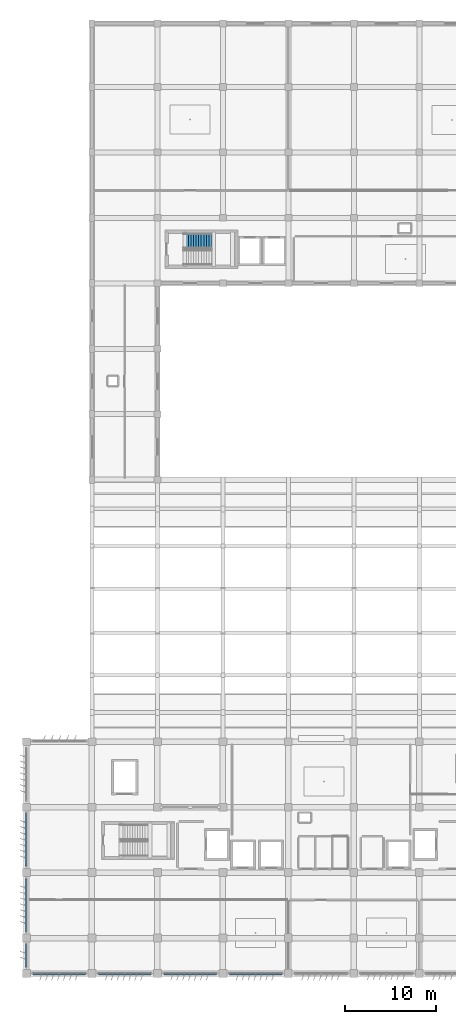
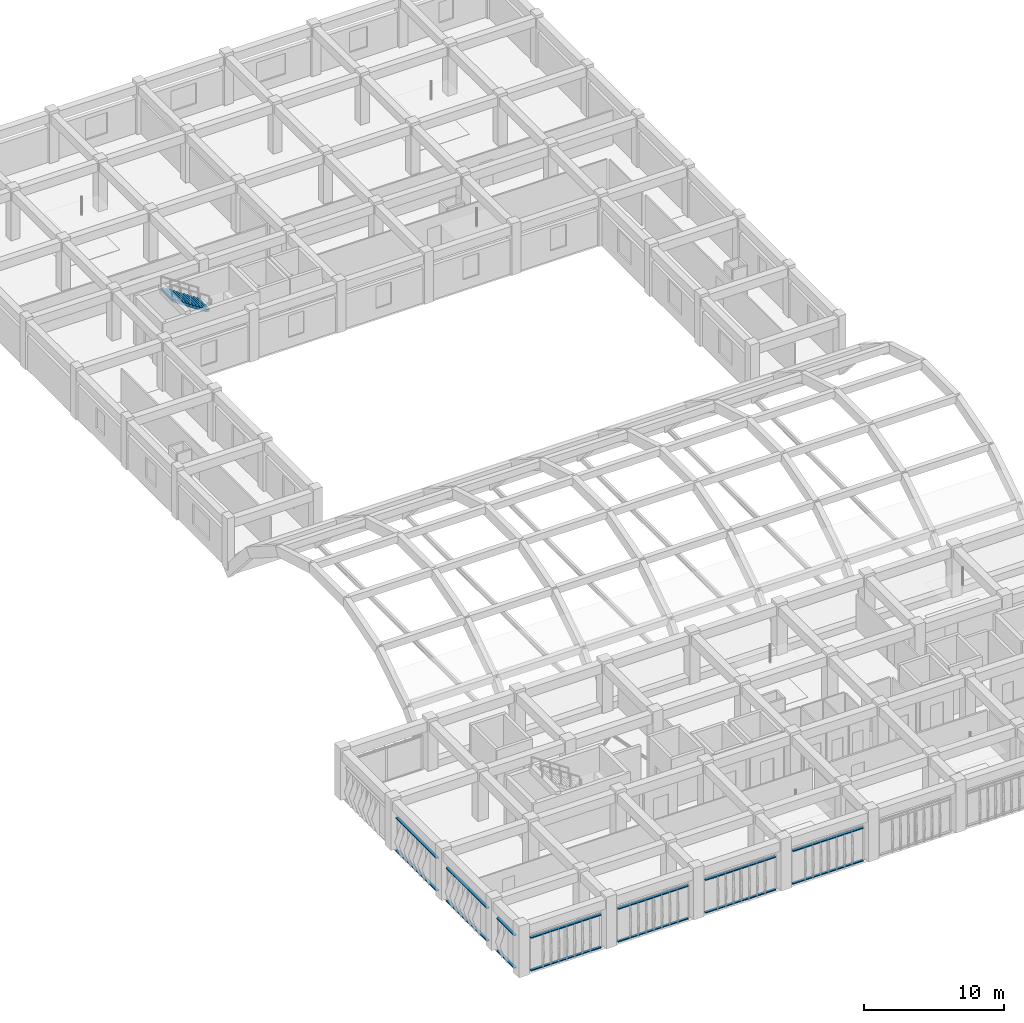
# One storey, part 32 of 48: 14 discrete accessories, 1 stair flight, 1 element without a shape of its own.
"""IFC4 building model written with IfcOpenShell, lengths in metres."""

from ifc_helpers import new_model, si_unit, direction, frame, origin, origin_2d, place, context, subcontext, project, spatial, polyline, rectangle, outline, extrude, material, type_object, element, aggregate, save


model = new_model("IFC4")

# Units and contexts
model_context = context("Model", 3, precision=1e-05, world=origin(), true_north=direction((0.0, 1.0)))
body_context = subcontext(model_context, "Body", "Model", "MODEL_VIEW")
ifc_project = project(units=[si_unit("LENGTHUNIT", "METRE"), si_unit("AREAUNIT", "SQUARE_METRE"), si_unit("VOLUMEUNIT", "CUBIC_METRE"), si_unit("PLANEANGLEUNIT", "RADIAN"), si_unit("MASSUNIT", "GRAM", prefix="KILO")], contexts=[model_context])

# Site, building, storey
site_placement = place(None, origin())
site = spatial("IfcSite", under=ifc_project, at=site_placement, CompositionType="ELEMENT")
building_placement = place(site_placement, origin())
building = spatial("IfcBuilding", under=site, at=building_placement, Name="Kazehaya Institute of Natural Sciences", CompositionType="ELEMENT")
storey_placement = place(building_placement, frame((0.0, 0.0, 19.800048828125)))
storey = spatial("IfcBuildingStorey", under=building, at=storey_placement, Name="L04", CompositionType="ELEMENT", Elevation=19.800048828125)

# Stair, stair flight
ifc_material_1 = material(Name="Concrete Fc36", Category="concrete")
stair_type = type_object("IfcStairType", Name="STR-DOG-4500", PredefinedType="HALF_TURN_STAIR", material=ifc_material_1)
stair_placement = place(storey_placement, origin())
stair = element("IfcStair", 1, at=stair_placement, inside=storey, type_object=stair_type, Name="L04 Protected Escape Stair ST-3", PredefinedType="HALF_TURN_STAIR")
stair_flight_type = type_object("IfcStairFlightType", Name="STF-DOG-4500", PredefinedType="STRAIGHT", material=ifc_material_1)
stair_flight_placement = place(storey_placement, frame((74.93994140625, 90.64990234375, 2.25), z_axis=(0.0, 0.0, 1.0), x_axis=(-1.0, 0.0, 0.0)))
stair_flight = element("IfcStairFlight", 2, at=stair_flight_placement, type_object=stair_flight_type, Name="ST-3 flight 2", NumberOfRisers=12, NumberOfTreads=11, PredefinedType="STRAIGHT", RiserHeight=0.1875, TreadLength=0.28, context=body_context, shape_type="SweptSolid", body=[
    extrude(outline(polyline([(0.0, 0.0), (0.0, 0.1875), (0.280029296875, 0.1875), (0.280029296875, 0.375), (0.56005859375, 0.375), (0.56005859375, 0.5625), (0.840087890625, 0.5625), (0.840087890625, 0.75), (1.1201171875, 0.75), (1.1201171875, 0.9375), (1.39990234375, 0.9375), (1.39990234375, 1.125), (1.679931640625, 1.125), (1.679931640625, 1.3125), (1.9599609375, 1.3125), (1.9599609375, 1.5), (2.239990234375, 1.5), (2.239990234375, 1.6875), (2.52001953125, 1.6875), (2.52001953125, 1.875), (2.800048828125, 1.875), (2.800048828125, 2.0625), (3.080078125, 2.0625), (3.080078125, 2.25), (3.080078125, 1.882080078125), (0.26953125, 0.0), (0.0, 0.0)])), frame((0.0, 0.830078125, 0.0), z_axis=(0.0, -1.0, 0.0), x_axis=(1.0, 0.0, 0.0)), (0.0, 0.0, 1.0), 1.659912109375),
])
aggregate(stair, [stair_flight])

# Discrete accessories
ifc_material_2 = material(Name="Aluminium alloy A6063S-T5", Category="aluminium")
discrete_accessory_type = type_object("IfcDiscreteAccessoryType", Name="ACC-BRK-01", PredefinedType="BRACKET", material=ifc_material_2)
for number, where, z_axis, x_axis, name in (
    (3, (79.800048828125, 10.02490234375, 0.039794921875), (0.0, 0.0, 1.0), (-1.0, 0.0, 0.0), "L04 fin support outrigger rail 1"),
    (4, (79.800048828125, 10.02490234375, 2.8798828125), (0.0, 0.0, 1.0), (-1.0, 0.0, 0.0), "L04 fin support outrigger rail 2"),
    (5, (72.60009765625, 10.02490234375, 0.039794921875), (0.0, 0.0, 1.0), (-1.0, 0.0, 0.0), "L04 fin support outrigger rail 1"),
    (6, (72.60009765625, 10.02490234375, 2.8798828125), (0.0, 0.0, 1.0), (-1.0, 0.0, 0.0), "L04 fin support outrigger rail 2"),
    (7, (65.39990234375, 10.02490234375, 0.039794921875), (0.0, 0.0, 1.0), (-1.0, 0.0, 0.0), "L04 fin support outrigger rail 1"),
    (8, (65.39990234375, 10.02490234375, 2.8798828125), (0.0, 0.0, 1.0), (-1.0, 0.0, 0.0), "L04 fin support outrigger rail 2"),
    (9, (58.199951171875, 10.02490234375, 0.039794921875), (0.0, 0.0, 1.0), (-1.0, 0.0, 0.0), "L04 fin support outrigger rail 1"),
    (10, (58.199951171875, 10.02490234375, 2.8798828125), (0.0, 0.0, 1.0), (-1.0, 0.0, 0.0), "L04 fin support outrigger rail 2"),
):
    element("IfcDiscreteAccessory", number, at=place(storey_placement, frame(where, z_axis=z_axis, x_axis=x_axis)), inside=storey, type_object=discrete_accessory_type, Name=name, PredefinedType="BRACKET", context=body_context, shape_type="SweptSolid", body=[
        extrude(rectangle(XDim=5.800048828125, YDim=0.219970703125, at=origin_2d()), origin(), (0.0, 0.0, 1.0), 0.080078125),
    ])
for number, where, z_axis, x_axis, name in (
    (11, (54.52490234375, 12.050048828125, 0.039794921875), (0.0, 0.0, 1.0), (0.0, 1.0, 0.0), "L04 fin support outrigger rail 1"),
    (12, (54.52490234375, 12.050048828125, 2.8798828125), (0.0, 0.0, 1.0), (0.0, 1.0, 0.0), "L04 fin support outrigger rail 2"),
):
    element("IfcDiscreteAccessory", number, at=place(storey_placement, frame(where, z_axis=z_axis, x_axis=x_axis)), inside=storey, type_object=discrete_accessory_type, Name=name, PredefinedType="BRACKET", context=body_context, shape_type="SweptSolid", body=[
        extrude(rectangle(XDim=2.5, YDim=0.219970703125, at=origin_2d()), origin(), (0.0, 0.0, 1.0), 0.080078125),
    ])
for number, where, z_axis, x_axis, name in (
    (13, (54.52490234375, 17.60009765625, 0.039794921875), (0.0, 0.0, 1.0), (0.0, 1.0, 0.0), "L04 fin support outrigger rail 1"),
    (14, (54.52490234375, 17.60009765625, 2.8798828125), (0.0, 0.0, 1.0), (0.0, 1.0, 0.0), "L04 fin support outrigger rail 2"),
    (15, (54.52490234375, 24.800048828125, 0.039794921875), (0.0, 0.0, 1.0), (0.0, 1.0, 0.0), "L04 fin support outrigger rail 1"),
    (16, (54.52490234375, 24.800048828125, 2.8798828125), (0.0, 0.0, 1.0), (0.0, 1.0, 0.0), "L04 fin support outrigger rail 2"),
):
    element("IfcDiscreteAccessory", number, at=place(storey_placement, frame(where, z_axis=z_axis, x_axis=x_axis)), inside=storey, type_object=discrete_accessory_type, Name=name, PredefinedType="BRACKET", context=body_context, shape_type="SweptSolid", body=[
        extrude(rectangle(XDim=5.800048828125, YDim=0.219970703125, at=origin_2d()), origin(), (0.0, 0.0, 1.0), 0.080078125),
    ])

save(model, "model.ifc")
